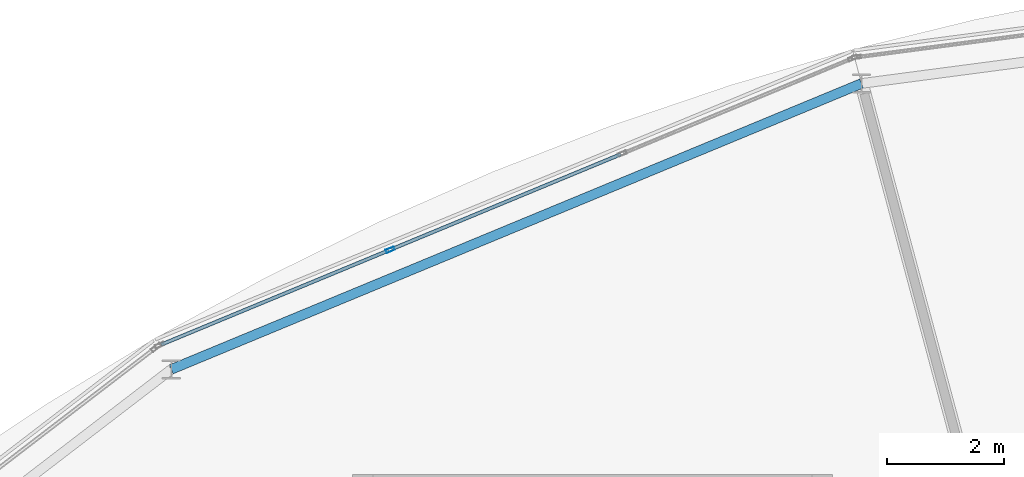
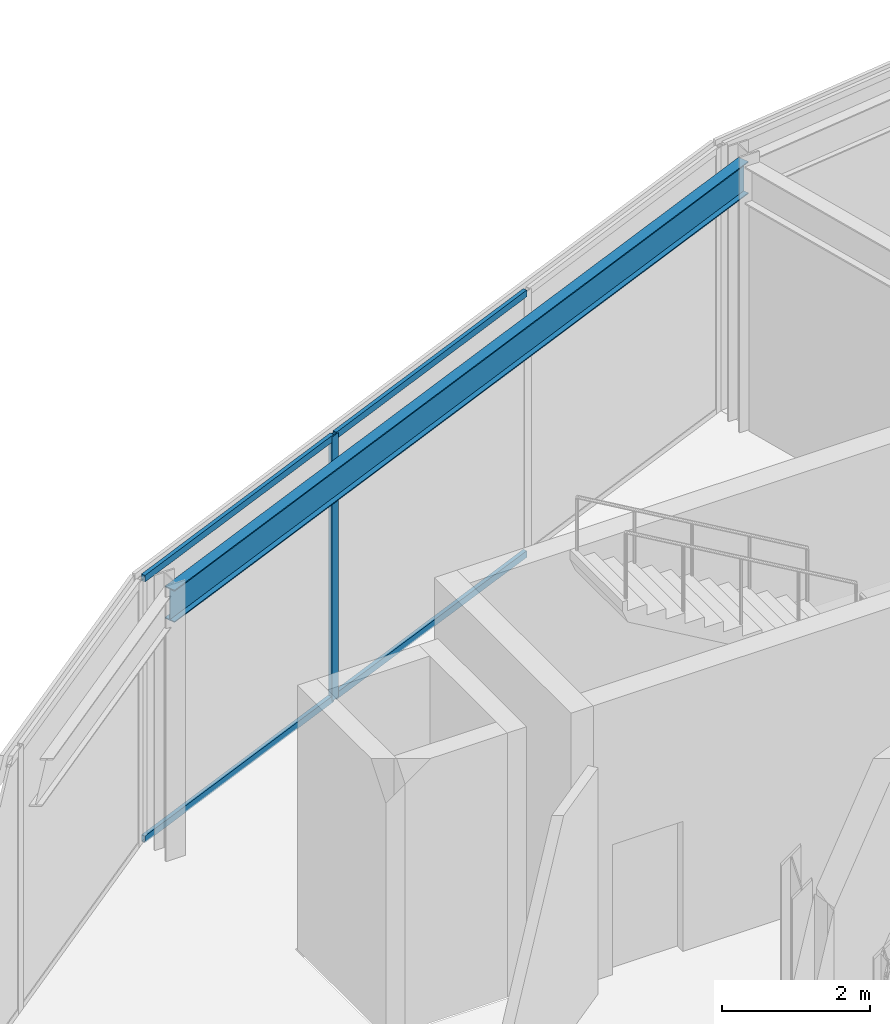
# One storey, part 58 of 133: 5 members, 1 beam, 1 element without a shape of its own.
"""IFC4 building model written with IfcOpenShell, lengths in metres."""

from ifc_helpers import new_model, si_unit, direction, frame, origin, origin_2d, place, context, subcontext, project, spatial, hollow_rectangle, i_section, extrude, material, material_profile, profile_set, type_object, element, aggregate, save


model = new_model("IFC4")

# Units and contexts
model_context = context("Model", 3, precision=1e-05, world=origin(), true_north=direction((0.0, 1.0)))
body_context = subcontext(model_context, "Body", "Model", "MODEL_VIEW")
ifc_project = project(units=[si_unit("LENGTHUNIT", "METRE"), si_unit("AREAUNIT", "SQUARE_METRE"), si_unit("VOLUMEUNIT", "CUBIC_METRE"), si_unit("PLANEANGLEUNIT", "RADIAN"), si_unit("MASSUNIT", "GRAM", prefix="KILO")], contexts=[model_context])

# Site, building, storey
site_placement = place(None, origin())
site = spatial("IfcSite", under=ifc_project, at=site_placement, CompositionType="ELEMENT")
building_placement = place(site_placement, origin())
building = spatial("IfcBuilding", under=site, at=building_placement, Name="Almandine Court Research Institute", CompositionType="ELEMENT")
storey_placement = place(building_placement, frame((0.0, 0.0, 9.800048828125)))
storey = spatial("IfcBuildingStorey", under=building, at=storey_placement, Name="L02", CompositionType="ELEMENT", Elevation=9.800048828125)

# Beam
ifc_material_1 = material(Name="Steel ASTM A992 Grade 50", Category="steel")
ifc_material_profile_1 = material_profile(ifc_material_1, i_section(OverallWidth=0.166015625, OverallDepth=0.534912109375, WebThickness=0.010009765625, FlangeThickness=0.01708984375, at=origin_2d()), Name="W530x85")
ifc_profile_set_1 = profile_set([ifc_material_profile_1], Name="Steel ASTM A992 Grade 50")
beam_type = type_object("IfcBeamType", Name="Beam-G-05-E", PredefinedType="SPANDREL", material=ifc_profile_set_1)
beam_placement = place(storey_placement, frame((74.343994140625, 103.23388671875, 4.10205078125), z_axis=(-0.923891897665, -0.382653578879, 0.0), x_axis=(0.382653578879, -0.923891897665, 0.0)))
element("IfcBeam", 1, at=beam_placement, inside=storey, type_object=beam_type, Name="L02 Drum OUT Ring Beam 07", PredefinedType="SPANDREL", context=body_context, shape_type="SweptSolid", body=[
    extrude(i_section(OverallWidth=0.166015625, OverallDepth=0.534912109375, WebThickness=0.010009765625, FlangeThickness=0.01708984375, at=origin_2d()), origin(), (0.0, 0.0, 1.0), 12.765625),
])

# Curtain wall, members
ifc_material_2 = material(Name="Unitised Curtain Wall Framing and Solar Glazing", Category="glass")
curtain_wall_type = type_object("IfcCurtainWallType", Name="CW-CWG-20", PredefinedType="USERDEFINED", material=ifc_material_2)
curtain_wall_placement = place(storey_placement, origin())
curtain_wall = element("IfcCurtainWall", 2, at=curtain_wall_placement, inside=storey, type_object=curtain_wall_type, Name="L02 Stacked-Ring Drum Outer Unitised Glazing 07", ObjectType="UNITISED GLAZING", PredefinedType="USERDEFINED")
ifc_material_3 = material(Name="Anodised Aluminium AW-6063-T6", Category="aluminium")
ifc_material_profile_2 = material_profile(ifc_material_3, hollow_rectangle(XDim=0.06005859375, YDim=0.14990234375, WallThickness=0.00390625, at=origin_2d()), Name="ALU RHS 60x150x4")
ifc_profile_set_2 = profile_set([ifc_material_profile_2], Name="Anodised Aluminium AW-6063-T6")
member_type_1 = type_object("IfcMemberType", Name="CWMul-60x150", PredefinedType="MULLION", material=ifc_profile_set_2)
member_1_placement = place(storey_placement, frame((66.2890625, 100.3916015625, 0.0), z_axis=(0.0, 0.0, 1.0), x_axis=(-0.382662689242, 0.923888124321, 0.0)))
member_1 = element("IfcMember", 3, at=member_1_placement, type_object=member_type_1, Name="CWG-20 mullion 2", PredefinedType="MULLION", context=body_context, shape_type="SweptSolid", body=[
    extrude(hollow_rectangle(XDim=0.06005859375, YDim=0.14990234375, WallThickness=0.00390625, at=origin_2d()), origin(), (0.0, 0.0, 1.0), 4.369873046875),
])
ifc_material_profile_3 = material_profile(ifc_material_3, hollow_rectangle(XDim=0.06005859375, YDim=0.110107421875, WallThickness=0.00390625, at=origin_2d()), Name="ALU RHS 60x110x4")
ifc_profile_set_3 = profile_set([ifc_material_profile_3], Name="Anodised Aluminium AW-6063-T6")
member_type_2 = type_object("IfcMemberType", Name="CWTrn-60x110", PredefinedType="NOTDEFINED", material=ifc_profile_set_3)
member_2_placement = place(storey_placement, frame((62.37841796875, 98.77197265625, 0.030029296875), z_axis=(0.923892933282, 0.382651078441, 0.0), x_axis=(-0.382651078441, 0.923892933282, 0.0)))
member_2 = element("IfcMember", 4, at=member_2_placement, type_object=member_type_2, Name="CWG-20 transom 1.1", ObjectType="TRANSOM", PredefinedType="USERDEFINED", context=body_context, shape_type="SweptSolid", body=[
    extrude(hollow_rectangle(XDim=0.06005859375, YDim=0.110107421875, WallThickness=0.00390625, at=origin_2d()), origin(), (0.0, 0.0, 1.0), 4.20263671875),
])
member_3_placement = place(storey_placement, frame((62.37841796875, 98.77197265625, 4.33984375), z_axis=(0.923892933282, 0.382651078441, 0.0), x_axis=(-0.382651078441, 0.923892933282, 0.0)))
member_3 = element("IfcMember", 5, at=member_3_placement, type_object=member_type_2, Name="CWG-20 transom 1.2", ObjectType="TRANSOM", PredefinedType="USERDEFINED", context=body_context, shape_type="SweptSolid", body=[
    extrude(hollow_rectangle(XDim=0.06005859375, YDim=0.110107421875, WallThickness=0.00390625, at=origin_2d()), origin(), (0.0, 0.0, 1.0), 4.20263671875),
])
member_4_placement = place(storey_placement, frame((66.316650390625, 100.403076171875, 0.030029296875), z_axis=(0.92387693948, 0.382689692437, 0.0), x_axis=(-0.382689692437, 0.92387693948, 0.0)))
member_4 = element("IfcMember", 6, at=member_4_placement, type_object=member_type_2, Name="CWG-20 transom 2.1", ObjectType="TRANSOM", PredefinedType="USERDEFINED", context=body_context, shape_type="SweptSolid", body=[
    extrude(hollow_rectangle(XDim=0.06005859375, YDim=0.110107421875, WallThickness=0.00390625, at=origin_2d()), origin(), (0.0, 0.0, 1.0), 4.23291015625),
])
member_5_placement = place(storey_placement, frame((66.316650390625, 100.403076171875, 4.33984375), z_axis=(0.92387693948, 0.382689692437, 0.0), x_axis=(-0.382689692437, 0.92387693948, 0.0)))
member_5 = element("IfcMember", 7, at=member_5_placement, type_object=member_type_2, Name="CWG-20 transom 2.2", ObjectType="TRANSOM", PredefinedType="USERDEFINED", context=body_context, shape_type="SweptSolid", body=[
    extrude(hollow_rectangle(XDim=0.06005859375, YDim=0.110107421875, WallThickness=0.00390625, at=origin_2d()), origin(), (0.0, 0.0, 1.0), 4.23291015625),
])
aggregate(curtain_wall, [member_1, member_2, member_3, member_4, member_5])

save(model, "model.ifc")
